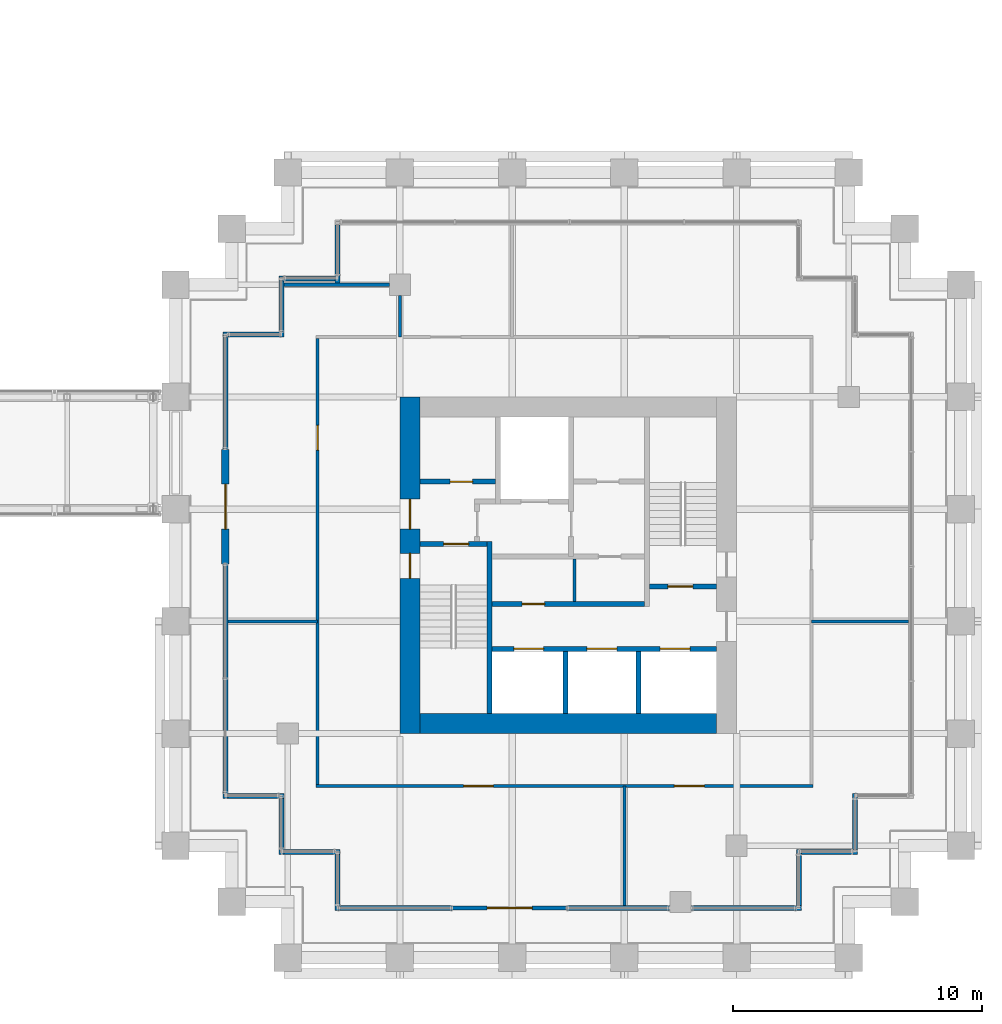
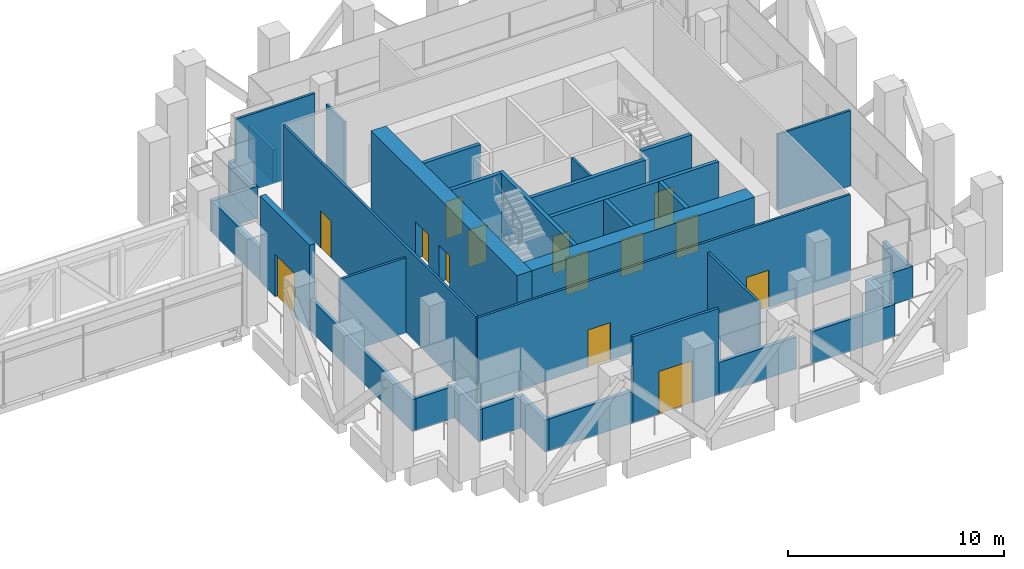
# One storey, part 39 of 44: 36 walls, 14 doors, 14 openings.
"""IFC4 building model written with IfcOpenShell, lengths in metres."""

from ifc_helpers import new_model, si_unit, direction, frame, frame_2d, origin, place, context, subcontext, project, spatial, rectangle, extrude, material, layer, layer_set, type_object, element, fill, save


model = new_model("IFC4")

# Units and contexts
model_context = context("Model", 3, precision=1e-05, world=origin(), true_north=direction((0.0, 1.0)))
body_context = subcontext(model_context, "Body", "Model", "MODEL_VIEW")
ifc_project = project(units=[si_unit("LENGTHUNIT", "METRE"), si_unit("AREAUNIT", "SQUARE_METRE"), si_unit("VOLUMEUNIT", "CUBIC_METRE"), si_unit("PLANEANGLEUNIT", "RADIAN"), si_unit("MASSUNIT", "GRAM", prefix="KILO")], contexts=[model_context])

# Site, building, storey
site_placement = place(None, origin())
site = spatial("IfcSite", under=ifc_project, at=site_placement, CompositionType="ELEMENT")
building_placement = place(site_placement, origin())
building = spatial("IfcBuilding", under=site, at=building_placement, Name="Altepetl Exchange Towers", CompositionType="ELEMENT")
storey_placement = place(building_placement, frame((0.0, 0.0, 87.0)))
storey = spatial("IfcBuildingStorey", under=building, at=storey_placement, Name="L21 Refuge", CompositionType="ELEMENT", Elevation=87.0)

# Wall
ifc_material_1 = material(Name="Concrete C70/85", Category="concrete")
ifc_layer_1 = layer(ifc_material_1, 0.800048828125)
ifc_layer_set_1 = layer_set([ifc_layer_1], Name="Concrete C70/85")
wall_type_1 = type_object("IfcWallType", Name="Core wall 800 reinforced concrete", PredefinedType="SHEAR", material=ifc_layer_set_1)
wall_1_placement = place(storey_placement, frame((104.300048828125, 36.39990234375, 0.0)))
element("IfcWall", 1, at=wall_1_placement, inside=storey, type_object=wall_type_1, Name="wall:B:L21:K-coreS", PredefinedType="SHEAR", context=body_context, shape_type="SweptSolid", body=[
    extrude(rectangle(XDim=11.89990234375, YDim=0.800048828125, at=frame_2d((5.949951171875, 0.0))), origin(), (0.0, 0.0, 1.0), 4.75),
])

# Wall, openings, doors
wall_2_placement = place(storey_placement, frame((103.89990234375, 36.0, 0.0), z_axis=(0.0, 0.0, 1.0), x_axis=(0.0, 1.0, 0.0)))
wall_2 = element("IfcWall", 2, at=wall_2_placement, inside=storey, type_object=wall_type_1, Name="wall:B:L21:K-coreW", PredefinedType="SHEAR", context=body_context, shape_type="SweptSolid", body=[
    extrude(rectangle(XDim=13.5, YDim=0.800048828125, at=frame_2d((6.75, 0.0))), origin(), (0.0, 0.0, 1.0), 4.75),
])
opening_1_placement = place(wall_2_placement, frame((8.199951171875, 0.0, 0.0)))
opening_1 = element("IfcOpeningElement", 3, at=opening_1_placement, cuts=wall_2, Name="Opening L21.B60", PredefinedType="OPENING", context=body_context, shape_type="SweptSolid", body=[
    extrude(rectangle(XDim=1.199951171875, YDim=2.10009765625, at=frame_2d((0.60009765625, 1.050048828125))), frame((0.0, 0.41015625, 0.0), z_axis=(0.0, -1.0, 0.0), x_axis=(1.0, 0.0, 0.0)), (0.0, 0.0, 1.0), 0.820068359375),
])
opening_2_placement = place(wall_2_placement, frame((6.22509765625, 0.0, 0.0)))
opening_2 = element("IfcOpeningElement", 4, at=opening_2_placement, cuts=wall_2, Name="Opening L21.B63", PredefinedType="OPENING", context=body_context, shape_type="SweptSolid", body=[
    extrude(rectangle(XDim=1.0, YDim=2.10009765625, at=frame_2d((0.5, 1.050048828125))), frame((0.0, 0.41015625, 0.0), z_axis=(0.0, -1.0, 0.0), x_axis=(1.0, 0.0, 0.0)), (0.0, 0.0, 1.0), 0.820068359375),
])
ifc_material_2 = material(Name="Steel and timber fire door", Category="steel")
door_type_1 = type_object("IfcDoorType", Name="Fire door 1000 x 2100 stair and lobby", OperationType="SINGLE_SWING_LEFT", PredefinedType="DOOR", material=ifc_material_2)
door_1_placement = place(opening_2_placement, frame((1.0, 0.0, 0.0), x_axis=(-1.0, 0.0, 0.0)))
door_1 = element("IfcDoor", 5, at=door_1_placement, inside=storey, type_object=door_type_1, Name="door:B:L21:K-dS1x", OperationType="SINGLE_SWING_RIGHT", OverallHeight=2.10009765625, OverallWidth=1.0, PredefinedType="DOOR", context=body_context, shape_type="SweptSolid", body=[
    extrude(rectangle(XDim=1.0, YDim=2.10009765625, at=frame_2d((0.5, 1.050048828125))), frame((0.0, 0.02490234375, 0.0), z_axis=(0.0, -1.0, 0.0), x_axis=(1.0, 0.0, 0.0)), (0.0, 0.0, 1.0), 0.050048828125),
])
fill(opening_2, door_1)
door_type_2 = type_object("IfcDoorType", Name="Fire door 1200 x 2100 lobby entry", OperationType="SINGLE_SWING_LEFT", PredefinedType="DOOR", material=ifc_material_2)
door_2_placement = place(opening_1_placement, frame((1.199951171875, 0.0, 0.0), x_axis=(-1.0, 0.0, 0.0)))
door_2 = element("IfcDoor", 6, at=door_2_placement, inside=storey, type_object=door_type_2, Name="door:B:L21:K-dLNW", OperationType="SINGLE_SWING_RIGHT", OverallHeight=2.10009765625, OverallWidth=1.199951171875, PredefinedType="DOOR", context=body_context, shape_type="SweptSolid", body=[
    extrude(rectangle(XDim=1.199951171875, YDim=2.10009765625, at=frame_2d((0.60009765625, 1.050048828125))), frame((0.0, 0.02490234375, 0.0), z_axis=(0.0, -1.0, 0.0), x_axis=(1.0, 0.0, 0.0)), (0.0, 0.0, 1.0), 0.050048828125),
])
fill(opening_1, door_2)

# Wall, opening, door
ifc_material_3 = material(Name="Aluminium composite cladding", Category="aluminium")
ifc_layer_2 = layer(ifc_material_3, 0.14990234375)
ifc_layer_set_2 = layer_set([ifc_layer_2], Name="Aluminium composite cladding")
wall_type_2 = type_object("IfcWallType", Name="Infill wall 150 aluminium panel", PredefinedType="SOLIDWALL", material=ifc_layer_set_2)
wall_3_placement = place(storey_placement, frame((105.60009765625, 29.0, 0.0)))
wall_3 = element("IfcWall", 7, at=wall_3_placement, inside=storey, type_object=wall_type_2, Name="Loggia door bay wall", PredefinedType="SOLIDWALL", context=body_context, shape_type="SweptSolid", body=[
    extrude(rectangle(XDim=4.599853515625, YDim=0.14990234375, at=frame_2d((2.2998046875, 0.0))), origin(), (0.0, 0.0, 1.0), 4.85009765625),
])
opening_3_placement = place(wall_3_placement, frame((1.39990234375, 0.0, 0.0)))
opening_3 = element("IfcOpeningElement", 8, at=opening_3_placement, cuts=wall_3, Name="Opening L21.B90", PredefinedType="OPENING", context=body_context, shape_type="SweptSolid", body=[
    extrude(rectangle(XDim=1.800048828125, YDim=2.39990234375, at=frame_2d((0.89990234375, 1.199951171875))), frame((0.0, 0.0849609375, 0.0), z_axis=(0.0, -1.0, 0.0), x_axis=(1.0, 0.0, 0.0)), (0.0, 0.0, 1.0), 0.169921875),
])
ifc_material_4 = material(Name="Aluminium 6063-T6 and glass", Category="aluminium")
door_type_3 = type_object("IfcDoorType", Name="Glazed door pair 1800x2400", OperationType="DOUBLE_DOOR_DOUBLE_SWING", PredefinedType="NOTDEFINED", material=ifc_material_4)
door_3_placement = place(opening_3_placement, frame((1.800048828125, 0.0, 0.0), x_axis=(-1.0, 0.0, 0.0)))
door_3 = element("IfcDoor", 9, at=door_3_placement, inside=storey, type_object=door_type_3, Name="Loggia door", OperationType="DOUBLE_DOOR_DOUBLE_SWING", OverallHeight=2.39990234375, OverallWidth=1.800048828125, PredefinedType="NOTDEFINED", context=body_context, shape_type="SweptSolid", body=[
    extrude(rectangle(XDim=1.800048828125, YDim=2.39990234375, at=frame_2d((0.89990234375, 1.199951171875))), frame((0.0, 0.02490234375, 0.0), z_axis=(0.0, -1.0, 0.0), x_axis=(1.0, 0.0, 0.0)), (0.0, 0.0, 1.0), 0.050048828125),
])
fill(opening_3, door_3)

ifc_material_5 = material(Name="Concrete blockwork", Category="masonry")
ifc_layer_3 = layer(ifc_material_5, 0.199951171875)
ifc_layer_set_3 = layer_set([ifc_layer_3], Name="Concrete blockwork")
wall_type_3 = type_object("IfcWallType", Name="Lobby wall 200 blockwork", PredefinedType="PARTITIONING", material=ifc_layer_set_3)
wall_4_placement = place(storey_placement, frame((107.199951171875, 41.199951171875, 0.0)))
wall_4 = element("IfcWall", 10, at=wall_4_placement, inside=storey, type_object=wall_type_3, Name="wall:B:L21:K-zoneS", PredefinedType="PARTITIONING", context=body_context, shape_type="SweptSolid", body=[
    extrude(rectangle(XDim=6.10009765625, YDim=0.199951171875, at=frame_2d((3.050048828125, 0.0))), origin(), (0.0, 0.0, 1.0), 4.75),
])
opening_4_placement = place(wall_4_placement, frame((1.199951171875, 0.0, 0.0)))
opening_4 = element("IfcOpeningElement", 11, at=opening_4_placement, cuts=wall_4, Name="Opening L21.B70", PredefinedType="OPENING", context=body_context, shape_type="SweptSolid", body=[
    extrude(rectangle(XDim=0.89990234375, YDim=2.10009765625, at=frame_2d((0.449951171875, 1.050048828125))), frame((0.0, 0.10986328125, 0.0), z_axis=(0.0, -1.0, 0.0), x_axis=(1.0, 0.0, 0.0)), (0.0, 0.0, 1.0), 0.219970703125),
])
door_type_4 = type_object("IfcDoorType", Name="Fire door 900 x 2100 service room", OperationType="SINGLE_SWING_LEFT", PredefinedType="DOOR", material=ifc_material_2)
door_4_placement = place(opening_4_placement, origin())
door_4 = element("IfcDoor", 12, at=door_4_placement, inside=storey, type_object=door_type_4, Name="door:B:L21:K-dz1", OperationType="SINGLE_SWING_RIGHT", OverallHeight=2.10009765625, OverallWidth=0.89990234375, PredefinedType="DOOR", context=body_context, shape_type="SweptSolid", body=[
    extrude(rectangle(XDim=0.89990234375, YDim=2.10009765625, at=frame_2d((0.449951171875, 1.050048828125))), frame((0.0, 0.02490234375, 0.0), z_axis=(0.0, -1.0, 0.0), x_axis=(1.0, 0.0, 0.0)), (0.0, 0.0, 1.0), 0.050048828125),
])
fill(opening_4, door_4)

# Wall
ifc_material_6 = material(Name="Gypsum board on steel studs", Category="steel")
ifc_layer_4 = layer(ifc_material_6, 0.125)
ifc_layer_set_4 = layer_set([ifc_layer_4], Name="Gypsum board on steel studs")
wall_type_4 = type_object("IfcWallType", Name="Partition 125 gypsum board on steel studs", PredefinedType="PARTITIONING", material=ifc_layer_set_4)
wall_5_placement = place(storey_placement, frame((110.5, 41.300048828125, 0.0), z_axis=(0.0, 0.0, 1.0), x_axis=(0.0, 1.0, 0.0)))
element("IfcWall", 13, at=wall_5_placement, inside=storey, type_object=wall_type_4, Name="wall:B:L21:K-zp1", PredefinedType="PARTITIONING", context=body_context, shape_type="SweptSolid", body=[
    extrude(rectangle(XDim=1.699951171875, YDim=0.125, at=frame_2d((0.85009765625, 0.0))), origin(), (0.0, 0.0, 1.0), 4.75),
])

# Wall, openings, doors
wall_6_placement = place(storey_placement, frame((100.137451171875, 33.89990234375, 0.0)))
wall_6 = element("IfcWall", 14, at=wall_6_placement, inside=storey, type_object=wall_type_4, Name="wall:B:L21:P01", PredefinedType="PARTITIONING", context=body_context, shape_type="SweptSolid", body=[
    extrude(rectangle(XDim=19.925048828125, YDim=0.125, at=frame_2d((9.96240234375, 0.0))), origin(), (0.0, 0.0, 1.0), 4.85009765625),
])
opening_5_placement = place(wall_6_placement, frame((5.91259765625, 0.0, 0.0)))
opening_5 = element("IfcOpeningElement", 15, at=opening_5_placement, cuts=wall_6, Name="Opening L21.B01", PredefinedType="OPENING", context=body_context, shape_type="SweptSolid", body=[
    extrude(rectangle(XDim=1.199951171875, YDim=2.10009765625, at=frame_2d((0.60009765625, 1.050048828125))), frame((0.0, 0.072509765625, 0.0), z_axis=(0.0, -1.0, 0.0), x_axis=(1.0, 0.0, 0.0)), (0.0, 0.0, 1.0), 0.14501953125),
])
opening_6_placement = place(wall_6_placement, frame((14.37255859375, 0.0, 0.0)))
opening_6 = element("IfcOpeningElement", 16, at=opening_6_placement, cuts=wall_6, Name="Opening L21.B02", PredefinedType="OPENING", context=body_context, shape_type="SweptSolid", body=[
    extrude(rectangle(XDim=1.199951171875, YDim=2.10009765625, at=frame_2d((0.60009765625, 1.050048828125))), frame((0.0, 0.072509765625, 0.0), z_axis=(0.0, -1.0, 0.0), x_axis=(1.0, 0.0, 0.0)), (0.0, 0.0, 1.0), 0.14501953125),
])
door_type_5 = type_object("IfcDoorType", Name="Fire door 1200 x 2100 plant and refuge", OperationType="SINGLE_SWING_LEFT", PredefinedType="DOOR", material=ifc_material_2)
door_5_placement = place(opening_5_placement, origin())
door_5 = element("IfcDoor", 17, at=door_5_placement, inside=storey, type_object=door_type_5, Name="door:B:L21:01", OperationType="SINGLE_SWING_LEFT", OverallHeight=2.10009765625, OverallWidth=1.199951171875, PredefinedType="DOOR", context=body_context, shape_type="SweptSolid", body=[
    extrude(rectangle(XDim=1.199951171875, YDim=2.10009765625, at=frame_2d((0.60009765625, 1.050048828125))), frame((0.0, 0.02490234375, 0.0), z_axis=(0.0, -1.0, 0.0), x_axis=(1.0, 0.0, 0.0)), (0.0, 0.0, 1.0), 0.050048828125),
])
fill(opening_5, door_5)
door_6_placement = place(opening_6_placement, origin())
door_6 = element("IfcDoor", 18, at=door_6_placement, inside=storey, type_object=door_type_5, Name="door:B:L21:02", OperationType="SINGLE_SWING_LEFT", OverallHeight=2.10009765625, OverallWidth=1.199951171875, PredefinedType="DOOR", context=body_context, shape_type="SweptSolid", body=[
    extrude(rectangle(XDim=1.199951171875, YDim=2.10009765625, at=frame_2d((0.60009765625, 1.050048828125))), frame((0.0, 0.02490234375, 0.0), z_axis=(0.0, -1.0, 0.0), x_axis=(1.0, 0.0, 0.0)), (0.0, 0.0, 1.0), 0.050048828125),
])
fill(opening_6, door_6)

# Walls
wall_7_placement = place(storey_placement, frame((96.60009765625, 40.5, 0.0)))
element("IfcWall", 19, at=wall_7_placement, inside=storey, type_object=wall_type_4, Name="wall:B:L21:P02", PredefinedType="PARTITIONING", context=body_context, shape_type="SweptSolid", body=[
    extrude(rectangle(XDim=3.599853515625, YDim=0.125, at=frame_2d((1.7998046875, 0.0))), origin(), (0.0, 0.0, 1.0), 4.2509765625),
])
wall_8_placement = place(storey_placement, frame((120.0, 40.5, 0.0)))
element("IfcWall", 20, at=wall_8_placement, inside=storey, type_object=wall_type_4, Name="wall:B:L21:P03", PredefinedType="PARTITIONING", context=body_context, shape_type="SweptSolid", body=[
    extrude(rectangle(XDim=3.89990234375, YDim=0.125, at=frame_2d((1.949951171875, 0.0))), origin(), (0.0, 0.0, 1.0), 4.2509765625),
])
wall_9_placement = place(storey_placement, frame((98.85009765625, 54.0, 0.0)))
element("IfcWall", 21, at=wall_9_placement, inside=storey, type_object=wall_type_4, Name="wall:B:L21:P06", PredefinedType="PARTITIONING", context=body_context, shape_type="SweptSolid", body=[
    extrude(rectangle(XDim=4.224853515625, YDim=0.125, at=frame_2d((2.1123046875, 0.0))), origin(), (0.0, 0.0, 1.0), 4.321044921875),
])

# Wall, opening, door
wall_10_placement = place(storey_placement, frame((100.199951171875, 33.96240234375, 0.0), z_axis=(0.0, 0.0, 1.0), x_axis=(0.0, 1.0, 0.0)))
wall_10 = element("IfcWall", 22, at=wall_10_placement, inside=storey, type_object=wall_type_4, Name="wall:B:L21:P07", PredefinedType="PARTITIONING", context=body_context, shape_type="SweptSolid", body=[
    extrude(rectangle(XDim=17.875, YDim=0.125, at=frame_2d((8.9375, 0.0))), origin(), (0.0, 0.0, 1.0), 4.85009765625),
])
opening_7_placement = place(wall_10_placement, frame((13.400390625, 0.0, 0.0)))
opening_7 = element("IfcOpeningElement", 23, at=opening_7_placement, cuts=wall_10, Name="Opening L21.B06", PredefinedType="OPENING", context=body_context, shape_type="SweptSolid", body=[
    extrude(rectangle(XDim=1.0, YDim=2.10009765625, at=frame_2d((0.5, 1.050048828125))), frame((0.0, 0.072509765625, 0.0), z_axis=(0.0, -1.0, 0.0), x_axis=(1.0, 0.0, 0.0)), (0.0, 0.0, 1.0), 0.14501953125),
])
door_type_6 = type_object("IfcDoorType", Name="Fire door 1000 x 2100 single leaf", OperationType="SINGLE_SWING_LEFT", PredefinedType="DOOR", material=ifc_material_2)
door_7_placement = place(opening_7_placement, origin())
door_7 = element("IfcDoor", 24, at=door_7_placement, inside=storey, type_object=door_type_6, Name="door:B:L21:06", OperationType="SINGLE_SWING_LEFT", OverallHeight=2.10009765625, OverallWidth=1.0, PredefinedType="DOOR", context=body_context, shape_type="SweptSolid", body=[
    extrude(rectangle(XDim=1.0, YDim=2.10009765625, at=frame_2d((0.5, 1.050048828125))), frame((0.0, 0.02490234375, 0.0), z_axis=(0.0, -1.0, 0.0), x_axis=(1.0, 0.0, 0.0)), (0.0, 0.0, 1.0), 0.050048828125),
])
fill(opening_7, door_7)

# Walls
wall_11_placement = place(storey_placement, frame((103.5, 51.89990234375, 0.0), z_axis=(0.0, 0.0, 1.0), x_axis=(0.0, 1.0, 0.0)))
element("IfcWall", 25, at=wall_11_placement, inside=storey, type_object=wall_type_4, Name="wall:B:L21:P08", PredefinedType="PARTITIONING", context=body_context, shape_type="SweptSolid", body=[
    extrude(rectangle(XDim=1.675048828125, YDim=0.125, at=frame_2d((0.83740234375, 0.0))), origin(), (0.0, 0.0, 1.0), 3.800048828125),
])
wall_12_placement = place(storey_placement, frame((112.5, 29.10009765625, 0.0), z_axis=(0.0, 0.0, 1.0), x_axis=(0.0, 1.0, 0.0)))
element("IfcWall", 26, at=wall_12_placement, inside=storey, type_object=wall_type_4, Name="wall:B:L21:P10", PredefinedType="PARTITIONING", context=body_context, shape_type="SweptSolid", body=[
    extrude(rectangle(XDim=4.7998046875, YDim=0.125, at=frame_2d((2.39990234375, 0.0))), origin(), (0.0, 0.0, 1.0), 4.2509765625),
])
ifc_material_7 = material(Name="Cantera limestone cladding", Category="masonry")
ifc_layer_5 = layer(ifc_material_7, 0.199951171875)
ifc_layer_set_5 = layer_set([ifc_layer_5], Name="Cantera limestone cladding")
wall_type_5 = type_object("IfcWallType", Name="Refuge stone wall 200", PredefinedType="ELEMENTEDWALL", material=ifc_layer_set_5)
wall_13_placement = place(storey_placement, frame((98.85009765625, 52.0, 0.0), z_axis=(0.0, 0.0, 1.0), x_axis=(-1.0, 0.0, 0.0)))
element("IfcWall", 27, at=wall_13_placement, inside=storey, type_object=wall_type_5, Name="Refuge stone wall", PredefinedType="ELEMENTEDWALL", context=body_context, shape_type="SweptSolid", body=[
    extrude(rectangle(XDim=2.4501953125, YDim=0.199951171875, at=frame_2d((1.22509765625, 0.0))), origin(), (0.0, 0.0, 1.0), 1.800048828125),
])
wall_14_placement = place(storey_placement, frame((96.5, 51.89990234375, 0.0), z_axis=(0.0, 0.0, 1.0), x_axis=(0.0, -1.0, 0.0)))
element("IfcWall", 28, at=wall_14_placement, inside=storey, type_object=wall_type_5, Name="Refuge stone wall", PredefinedType="ELEMENTEDWALL", context=body_context, shape_type="SweptSolid", body=[
    extrude(rectangle(XDim=4.5, YDim=0.199951171875, at=frame_2d((2.25, 0.0))), origin(), (0.0, 0.0, 1.0), 1.800048828125),
])
wall_15_placement = place(storey_placement, frame((96.5, 42.800048828125, 0.0), z_axis=(0.0, 0.0, 1.0), x_axis=(0.0, -1.0, 0.0)))
element("IfcWall", 29, at=wall_15_placement, inside=storey, type_object=wall_type_5, Name="Refuge stone wall", PredefinedType="ELEMENTEDWALL", context=body_context, shape_type="SweptSolid", body=[
    extrude(rectangle(XDim=9.400146484375, YDim=0.199951171875, at=frame_2d((4.7001953125, 0.0))), origin(), (0.0, 0.0, 1.0), 1.800048828125),
])
wall_16_placement = place(storey_placement, frame((96.60009765625, 33.5, 0.0)))
element("IfcWall", 30, at=wall_16_placement, inside=storey, type_object=wall_type_5, Name="Refuge stone wall", PredefinedType="ELEMENTEDWALL", context=body_context, shape_type="SweptSolid", body=[
    extrude(rectangle(XDim=2.25, YDim=0.199951171875, at=frame_2d((1.125, 0.0))), origin(), (0.0, 0.0, 1.0), 1.800048828125),
])
wall_17_placement = place(storey_placement, frame((98.75, 33.39990234375, 0.0), z_axis=(0.0, 0.0, 1.0), x_axis=(0.0, -1.0, 0.0)))
element("IfcWall", 31, at=wall_17_placement, inside=storey, type_object=wall_type_5, Name="Refuge stone wall", PredefinedType="ELEMENTEDWALL", context=body_context, shape_type="SweptSolid", body=[
    extrude(rectangle(XDim=2.25, YDim=0.199951171875, at=frame_2d((1.125, 0.0))), origin(), (0.0, 0.0, 1.0), 1.800048828125),
])
wall_18_placement = place(storey_placement, frame((98.85009765625, 31.25, 0.0)))
element("IfcWall", 32, at=wall_18_placement, inside=storey, type_object=wall_type_5, Name="Refuge stone wall", PredefinedType="ELEMENTEDWALL", context=body_context, shape_type="SweptSolid", body=[
    extrude(rectangle(XDim=2.25, YDim=0.199951171875, at=frame_2d((1.125, 0.0))), origin(), (0.0, 0.0, 1.0), 1.800048828125),
])
wall_19_placement = place(storey_placement, frame((101.0, 31.14990234375, 0.0), z_axis=(0.0, 0.0, 1.0), x_axis=(0.0, -1.0, 0.0)))
element("IfcWall", 33, at=wall_19_placement, inside=storey, type_object=wall_type_5, Name="Refuge stone wall", PredefinedType="ELEMENTEDWALL", context=body_context, shape_type="SweptSolid", body=[
    extrude(rectangle(XDim=2.25, YDim=0.199951171875, at=frame_2d((1.125, 0.0))), origin(), (0.0, 0.0, 1.0), 1.800048828125),
])
wall_20_placement = place(storey_placement, frame((101.10009765625, 29.0, 0.0)))
element("IfcWall", 34, at=wall_20_placement, inside=storey, type_object=wall_type_5, Name="Refuge stone wall", PredefinedType="ELEMENTEDWALL", context=body_context, shape_type="SweptSolid", body=[
    extrude(rectangle(XDim=4.5, YDim=0.199951171875, at=frame_2d((2.25, 0.0))), origin(), (0.0, 0.0, 1.0), 1.800048828125),
])
wall_21_placement = place(storey_placement, frame((110.199951171875, 29.0, 0.0)))
element("IfcWall", 35, at=wall_21_placement, inside=storey, type_object=wall_type_5, Name="Refuge stone wall", PredefinedType="ELEMENTEDWALL", context=body_context, shape_type="SweptSolid", body=[
    extrude(rectangle(XDim=4.125, YDim=0.199951171875, at=frame_2d((2.0625, 0.0))), origin(), (0.0, 0.0, 1.0), 1.800048828125),
])
wall_22_placement = place(storey_placement, frame((115.175048828125, 29.0, 0.0)))
element("IfcWall", 36, at=wall_22_placement, inside=storey, type_object=wall_type_5, Name="Refuge stone wall", PredefinedType="ELEMENTEDWALL", context=body_context, shape_type="SweptSolid", body=[
    extrude(rectangle(XDim=4.425048828125, YDim=0.199951171875, at=frame_2d((2.21240234375, 0.0))), origin(), (0.0, 0.0, 1.0), 1.800048828125),
])
wall_23_placement = place(storey_placement, frame((119.5, 29.10009765625, 0.0), z_axis=(0.0, 0.0, 1.0), x_axis=(0.0, 1.0, 0.0)))
element("IfcWall", 37, at=wall_23_placement, inside=storey, type_object=wall_type_5, Name="Refuge stone wall", PredefinedType="ELEMENTEDWALL", context=body_context, shape_type="SweptSolid", body=[
    extrude(rectangle(XDim=2.25, YDim=0.199951171875, at=frame_2d((1.125, 0.0))), origin(), (0.0, 0.0, 1.0), 1.800048828125),
])
wall_24_placement = place(storey_placement, frame((119.60009765625, 31.25, 0.0)))
element("IfcWall", 38, at=wall_24_placement, inside=storey, type_object=wall_type_5, Name="Refuge stone wall", PredefinedType="ELEMENTEDWALL", context=body_context, shape_type="SweptSolid", body=[
    extrude(rectangle(XDim=2.25, YDim=0.199951171875, at=frame_2d((1.125, 0.0))), origin(), (0.0, 0.0, 1.0), 1.800048828125),
])
wall_25_placement = place(storey_placement, frame((121.75, 31.35009765625, 0.0), z_axis=(0.0, 0.0, 1.0), x_axis=(0.0, 1.0, 0.0)))
element("IfcWall", 39, at=wall_25_placement, inside=storey, type_object=wall_type_5, Name="Refuge stone wall", PredefinedType="ELEMENTEDWALL", context=body_context, shape_type="SweptSolid", body=[
    extrude(rectangle(XDim=2.25, YDim=0.199951171875, at=frame_2d((1.125, 0.0))), origin(), (0.0, 0.0, 1.0), 1.800048828125),
])
wall_26_placement = place(storey_placement, frame((101.0, 56.39990234375, 0.0), z_axis=(0.0, 0.0, 1.0), x_axis=(0.0, -1.0, 0.0)))
element("IfcWall", 40, at=wall_26_placement, inside=storey, type_object=wall_type_5, Name="Refuge stone wall", PredefinedType="ELEMENTEDWALL", context=body_context, shape_type="SweptSolid", body=[
    extrude(rectangle(XDim=2.33740234375, YDim=0.199951171875, at=frame_2d((1.168701171875, 0.0))), origin(), (0.0, 0.0, 1.0), 1.800048828125),
])
wall_27_placement = place(storey_placement, frame((100.89990234375, 54.25, 0.0), z_axis=(0.0, 0.0, 1.0), x_axis=(-1.0, 0.0, 0.0)))
element("IfcWall", 41, at=wall_27_placement, inside=storey, type_object=wall_type_5, Name="Refuge stone wall", PredefinedType="ELEMENTEDWALL", context=body_context, shape_type="SweptSolid", body=[
    extrude(rectangle(XDim=2.25, YDim=0.199951171875, at=frame_2d((1.125, 0.0))), origin(), (0.0, 0.0, 1.0), 1.800048828125),
])
wall_28_placement = place(storey_placement, frame((98.75, 54.14990234375, 0.0), z_axis=(0.0, 0.0, 1.0), x_axis=(0.0, -1.0, 0.0)))
element("IfcWall", 42, at=wall_28_placement, inside=storey, type_object=wall_type_5, Name="Refuge stone wall", PredefinedType="ELEMENTEDWALL", context=body_context, shape_type="SweptSolid", body=[
    extrude(rectangle(XDim=2.0498046875, YDim=0.199951171875, at=frame_2d((1.02490234375, 0.0))), origin(), (0.0, 0.0, 1.0), 1.800048828125),
])
ifc_material_8 = material(Name="Concrete C40/50", Category="concrete")
ifc_layer_6 = layer(ifc_material_8, 0.199951171875)
ifc_layer_set_6 = layer_set([ifc_layer_6], Name="Concrete C40/50")
wall_type_6 = type_object("IfcWallType", Name="Shaft wall 200 reinforced concrete", PredefinedType="SHEAR", material=ifc_layer_set_6)
for number, where, z_axis, x_axis, name in (
    (43, (110.13330078125, 36.800048828125, 0.0), (0.0, 0.0, 1.0), (0.0, 1.0, 0.0), "wall:B:L21:K-divS1"),
    (44, (113.066650390625, 36.800048828125, 0.0), (0.0, 0.0, 1.0), (0.0, 1.0, 0.0), "wall:B:L21:K-divS2"),
):
    element("IfcWall", number, at=place(storey_placement, frame(where, z_axis=z_axis, x_axis=x_axis)), inside=storey, type_object=wall_type_6, Name=name, PredefinedType="SHEAR", context=body_context, shape_type="SweptSolid", body=[
        extrude(rectangle(XDim=2.5, YDim=0.199951171875, at=frame_2d((1.25, 0.0))), origin(), (0.0, 0.0, 1.0), 4.75),
    ])

# Wall, opening, door
wall_29_placement = place(storey_placement, frame((104.300048828125, 46.10009765625, 0.0)))
wall_29 = element("IfcWall", 45, at=wall_29_placement, inside=storey, type_object=wall_type_6, Name="wall:B:L21:K-frontNa", PredefinedType="SHEAR", context=body_context, shape_type="SweptSolid", body=[
    extrude(rectangle(XDim=3.033203125, YDim=0.199951171875, at=frame_2d((1.5166015625, 0.0))), origin(), (0.0, 0.0, 1.0), 4.75),
])
opening_8_placement = place(wall_29_placement, frame((1.216796875, 0.0, 0.0)))
opening_8 = element("IfcOpeningElement", 46, at=opening_8_placement, cuts=wall_29, Name="Opening L21.B68", PredefinedType="OPENING", context=body_context, shape_type="SweptSolid", body=[
    extrude(rectangle(XDim=0.89990234375, YDim=2.10009765625, at=frame_2d((0.449951171875, 1.050048828125))), frame((0.0, 0.10986328125, 0.0), z_axis=(0.0, -1.0, 0.0), x_axis=(1.0, 0.0, 0.0)), (0.0, 0.0, 1.0), 0.219970703125),
])
door_8_placement = place(opening_8_placement, origin())
door_8 = element("IfcDoor", 47, at=door_8_placement, inside=storey, type_object=door_type_4, Name="door:B:L21:K-dslotN0", OperationType="SINGLE_SWING_RIGHT", OverallHeight=2.10009765625, OverallWidth=0.89990234375, PredefinedType="DOOR", context=body_context, shape_type="SweptSolid", body=[
    extrude(rectangle(XDim=0.89990234375, YDim=2.10009765625, at=frame_2d((0.449951171875, 1.050048828125))), frame((0.0, 0.02490234375, 0.0), z_axis=(0.0, -1.0, 0.0), x_axis=(1.0, 0.0, 0.0)), (0.0, 0.0, 1.0), 0.050048828125),
])
fill(opening_8, door_8)

# Wall, openings, doors
wall_30_placement = place(storey_placement, frame((107.199951171875, 39.39990234375, 0.0)))
wall_30 = element("IfcWall", 48, at=wall_30_placement, inside=storey, type_object=wall_type_6, Name="wall:B:L21:K-frontS", PredefinedType="SHEAR", context=body_context, shape_type="SweptSolid", body=[
    extrude(rectangle(XDim=9.0, YDim=0.199951171875, at=frame_2d((4.5, 0.0))), origin(), (0.0, 0.0, 1.0), 4.75),
])
opening_9_placement = place(wall_30_placement, frame((0.86669921875, 0.0, 0.0)))
opening_9 = element("IfcOpeningElement", 49, at=opening_9_placement, cuts=wall_30, Name="Opening L21.B73", PredefinedType="OPENING", context=body_context, shape_type="SweptSolid", body=[
    extrude(rectangle(XDim=1.199951171875, YDim=2.10009765625, at=frame_2d((0.60009765625, 1.050048828125))), frame((0.0, 0.10986328125, 0.0), z_axis=(0.0, -1.0, 0.0), x_axis=(1.0, 0.0, 0.0)), (0.0, 0.0, 1.0), 0.219970703125),
])
opening_10_placement = place(wall_30_placement, frame((3.800048828125, 0.0, 0.0)))
opening_10 = element("IfcOpeningElement", 50, at=opening_10_placement, cuts=wall_30, Name="Opening L21.B74", PredefinedType="OPENING", context=body_context, shape_type="SweptSolid", body=[
    extrude(rectangle(XDim=1.199951171875, YDim=2.10009765625, at=frame_2d((0.60009765625, 1.050048828125))), frame((0.0, 0.10986328125, 0.0), z_axis=(0.0, -1.0, 0.0), x_axis=(1.0, 0.0, 0.0)), (0.0, 0.0, 1.0), 0.219970703125),
])
opening_11_placement = place(wall_30_placement, frame((6.7333984375, 0.0, 0.0)))
opening_11 = element("IfcOpeningElement", 51, at=opening_11_placement, cuts=wall_30, Name="Opening L21.B75", PredefinedType="OPENING", context=body_context, shape_type="SweptSolid", body=[
    extrude(rectangle(XDim=1.199951171875, YDim=2.10009765625, at=frame_2d((0.60009765625, 1.050048828125))), frame((0.0, 0.10986328125, 0.0), z_axis=(0.0, -1.0, 0.0), x_axis=(1.0, 0.0, 0.0)), (0.0, 0.0, 1.0), 0.219970703125),
])
ifc_material_9 = material(Name="Stainless steel", Category="steel")
door_type_7 = type_object("IfcDoorType", Name="Lift landing door 1200 x 2100", OperationType="SLIDING_TO_LEFT", PredefinedType="DOOR", material=ifc_material_9)
door_9_placement = place(opening_9_placement, origin())
door_9 = element("IfcDoor", 52, at=door_9_placement, inside=storey, type_object=door_type_7, Name="Landing door P1", OperationType="SLIDING_TO_LEFT", OverallHeight=2.10009765625, OverallWidth=1.199951171875, PredefinedType="DOOR", context=body_context, shape_type="SweptSolid", body=[
    extrude(rectangle(XDim=1.199951171875, YDim=2.10009765625, at=frame_2d((0.60009765625, 1.050048828125))), frame((0.0, 0.02490234375, 0.0), z_axis=(0.0, -1.0, 0.0), x_axis=(1.0, 0.0, 0.0)), (0.0, 0.0, 1.0), 0.050048828125),
])
fill(opening_9, door_9)
door_10_placement = place(opening_10_placement, origin())
door_10 = element("IfcDoor", 53, at=door_10_placement, inside=storey, type_object=door_type_7, Name="Landing door P2", OperationType="SLIDING_TO_LEFT", OverallHeight=2.10009765625, OverallWidth=1.199951171875, PredefinedType="DOOR", context=body_context, shape_type="SweptSolid", body=[
    extrude(rectangle(XDim=1.199951171875, YDim=2.10009765625, at=frame_2d((0.60009765625, 1.050048828125))), frame((0.0, 0.02490234375, 0.0), z_axis=(0.0, -1.0, 0.0), x_axis=(1.0, 0.0, 0.0)), (0.0, 0.0, 1.0), 0.050048828125),
])
fill(opening_10, door_10)
door_11_placement = place(opening_11_placement, origin())
door_11 = element("IfcDoor", 54, at=door_11_placement, inside=storey, type_object=door_type_7, Name="Landing door P3", OperationType="SLIDING_TO_LEFT", OverallHeight=2.10009765625, OverallWidth=1.199951171875, PredefinedType="DOOR", context=body_context, shape_type="SweptSolid", body=[
    extrude(rectangle(XDim=1.199951171875, YDim=2.10009765625, at=frame_2d((0.60009765625, 1.050048828125))), frame((0.0, 0.02490234375, 0.0), z_axis=(0.0, -1.0, 0.0), x_axis=(1.0, 0.0, 0.0)), (0.0, 0.0, 1.0), 0.050048828125),
])
fill(opening_11, door_11)

# Wall
ifc_layer_7 = layer(ifc_material_8, 0.199951171875)
ifc_layer_set_7 = layer_set([ifc_layer_7], Name="Concrete C40/50")
wall_type_7 = type_object("IfcWallType", Name="Stair wall 200 reinforced concrete", PredefinedType="SHEAR", material=ifc_layer_set_7)
wall_31_placement = place(storey_placement, frame((107.10009765625, 36.800048828125, 0.0), z_axis=(0.0, 0.0, 1.0), x_axis=(0.0, 1.0, 0.0)))
element("IfcWall", 55, at=wall_31_placement, inside=storey, type_object=wall_type_7, Name="wall:B:L21:K-stS1E", PredefinedType="SHEAR", context=body_context, shape_type="SweptSolid", body=[
    extrude(rectangle(XDim=6.89990234375, YDim=0.199951171875, at=frame_2d((3.449951171875, 0.0))), origin(), (0.0, 0.0, 1.0), 4.75),
])

# Wall, opening, door
wall_32_placement = place(storey_placement, frame((104.300048828125, 43.60009765625, 0.0)))
wall_32 = element("IfcWall", 56, at=wall_32_placement, inside=storey, type_object=wall_type_7, Name="wall:B:L21:K-stS1N", PredefinedType="SHEAR", context=body_context, shape_type="SweptSolid", body=[
    extrude(rectangle(XDim=2.699951171875, YDim=0.199951171875, at=frame_2d((1.35009765625, 0.0))), origin(), (0.0, 0.0, 1.0), 4.75),
])
opening_12_placement = place(wall_32_placement, frame((0.949951171875, 0.0, 0.0)))
opening_12 = element("IfcOpeningElement", 57, at=opening_12_placement, cuts=wall_32, Name="Opening L21.B62", PredefinedType="OPENING", context=body_context, shape_type="SweptSolid", body=[
    extrude(rectangle(XDim=1.0, YDim=2.10009765625, at=frame_2d((0.5, 1.050048828125))), frame((0.0, 0.10986328125, 0.0), z_axis=(0.0, -1.0, 0.0), x_axis=(1.0, 0.0, 0.0)), (0.0, 0.0, 1.0), 0.219970703125),
])
door_12_placement = place(opening_12_placement, frame((1.0, 0.0, 0.0), x_axis=(-1.0, 0.0, 0.0)))
door_12 = element("IfcDoor", 58, at=door_12_placement, inside=storey, type_object=door_type_1, Name="door:B:L21:K-dS1in", OperationType="SINGLE_SWING_LEFT", OverallHeight=2.10009765625, OverallWidth=1.0, PredefinedType="DOOR", context=body_context, shape_type="SweptSolid", body=[
    extrude(rectangle(XDim=1.0, YDim=2.10009765625, at=frame_2d((0.5, 1.050048828125))), frame((0.0, 0.02490234375, 0.0), z_axis=(0.0, -1.0, 0.0), x_axis=(1.0, 0.0, 0.0)), (0.0, 0.0, 1.0), 0.050048828125),
])
fill(opening_12, door_12)

wall_33_placement = place(storey_placement, frame((113.5, 41.89990234375, 0.0)))
wall_33 = element("IfcWall", 59, at=wall_33_placement, inside=storey, type_object=wall_type_7, Name="wall:B:L21:K-stS2S", PredefinedType="SHEAR", context=body_context, shape_type="SweptSolid", body=[
    extrude(rectangle(XDim=2.699951171875, YDim=0.199951171875, at=frame_2d((1.35009765625, 0.0))), origin(), (0.0, 0.0, 1.0), 4.75),
])
opening_13_placement = place(wall_33_placement, frame((0.75, 0.0, 0.0)))
opening_13 = element("IfcOpeningElement", 60, at=opening_13_placement, cuts=wall_33, Name="Opening L21.B64", PredefinedType="OPENING", context=body_context, shape_type="SweptSolid", body=[
    extrude(rectangle(XDim=1.0, YDim=2.10009765625, at=frame_2d((0.5, 1.050048828125))), frame((0.0, 0.10986328125, 0.0), z_axis=(0.0, -1.0, 0.0), x_axis=(1.0, 0.0, 0.0)), (0.0, 0.0, 1.0), 0.219970703125),
])
door_13_placement = place(opening_13_placement, origin())
door_13 = element("IfcDoor", 61, at=door_13_placement, inside=storey, type_object=door_type_1, Name="door:B:L21:K-dS2in", OperationType="SINGLE_SWING_RIGHT", OverallHeight=2.10009765625, OverallWidth=1.0, PredefinedType="DOOR", context=body_context, shape_type="SweptSolid", body=[
    extrude(rectangle(XDim=1.0, YDim=2.10009765625, at=frame_2d((0.5, 1.050048828125))), frame((0.0, 0.02490234375, 0.0), z_axis=(0.0, -1.0, 0.0), x_axis=(1.0, 0.0, 0.0)), (0.0, 0.0, 1.0), 0.050048828125),
])
fill(opening_13, door_13)

ifc_layer_8 = layer(ifc_material_7, 0.300048828125)
ifc_layer_set_8 = layer_set([ifc_layer_8], Name="Cantera limestone cladding")
wall_type_8 = type_object("IfcWallType", Name="Stone wall panel 300", PredefinedType="ELEMENTEDWALL", material=ifc_layer_set_8)
wall_34_placement = place(storey_placement, frame((96.5, 47.39990234375, 0.0), z_axis=(0.0, 0.0, 1.0), x_axis=(0.0, -1.0, 0.0)))
wall_34 = element("IfcWall", 62, at=wall_34_placement, inside=storey, type_object=wall_type_8, Name="Stone wall panel at BR1 landing", PredefinedType="ELEMENTEDWALL", context=body_context, shape_type="SweptSolid", body=[
    extrude(rectangle(XDim=4.599853515625, YDim=0.300048828125, at=frame_2d((2.2998046875, 0.0))), origin(), (0.0, 0.0, 1.0), 4.85009765625),
])
opening_14_placement = place(wall_34_placement, frame((1.39990234375, 0.0, 0.0)))
opening_14 = element("IfcOpeningElement", 63, at=opening_14_placement, cuts=wall_34, Name="Opening L21.B91", PredefinedType="OPENING", context=body_context, shape_type="SweptSolid", body=[
    extrude(rectangle(XDim=1.800048828125, YDim=2.39990234375, at=frame_2d((0.89990234375, 1.199951171875))), frame((0.0, 0.16015625, 0.0), z_axis=(0.0, -1.0, 0.0), x_axis=(1.0, 0.0, 0.0)), (0.0, 0.0, 1.0), 0.320068359375),
])
ifc_material_10 = material(Name="Steel S275 and fire resisting glass", Category="steel")
door_type_8 = type_object("IfcDoorType", Name="Bridge fire door pair 1800x2400", OperationType="DOUBLE_DOOR_DOUBLE_SWING", PredefinedType="NOTDEFINED", material=ifc_material_10)
door_14_placement = place(opening_14_placement, origin())
door_14 = element("IfcDoor", 64, at=door_14_placement, inside=storey, type_object=door_type_8, Name="BR1 fire door", OperationType="DOUBLE_DOOR_DOUBLE_SWING", OverallHeight=2.39990234375, OverallWidth=1.800048828125, PredefinedType="NOTDEFINED", context=body_context, shape_type="SweptSolid", body=[
    extrude(rectangle(XDim=1.800048828125, YDim=2.39990234375, at=frame_2d((0.89990234375, 1.199951171875))), frame((0.0, 0.02490234375, 0.0), z_axis=(0.0, -1.0, 0.0), x_axis=(1.0, 0.0, 0.0)), (0.0, 0.0, 1.0), 0.050048828125),
])
fill(opening_14, door_14)

save(model, "model.ifc")
